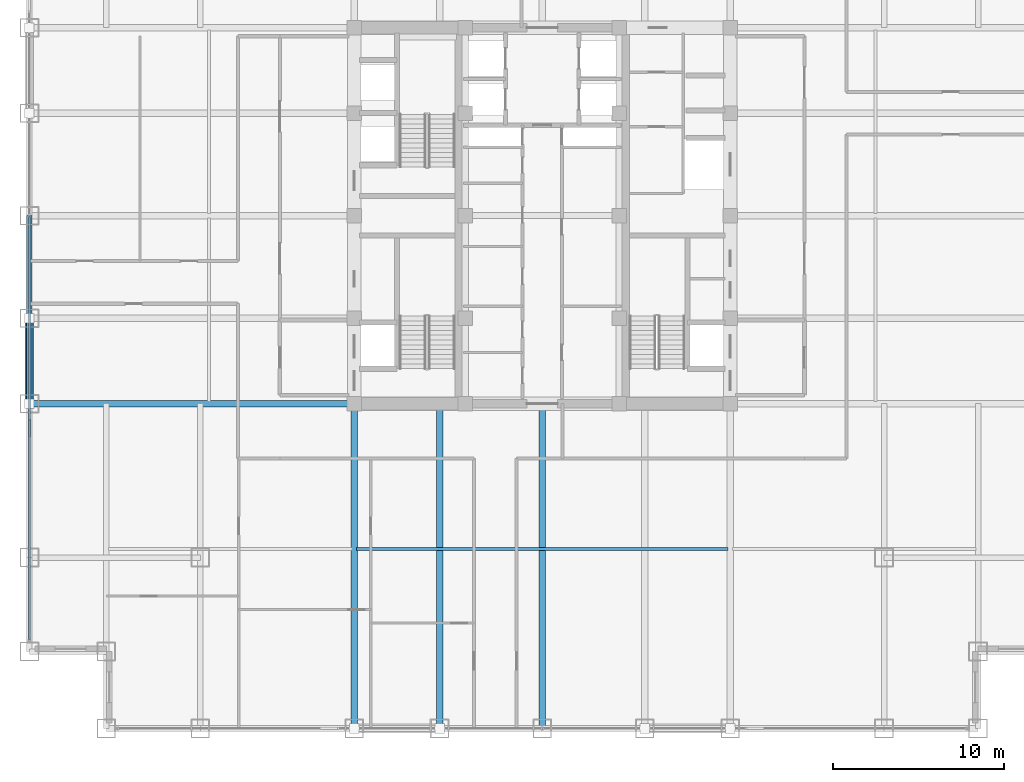
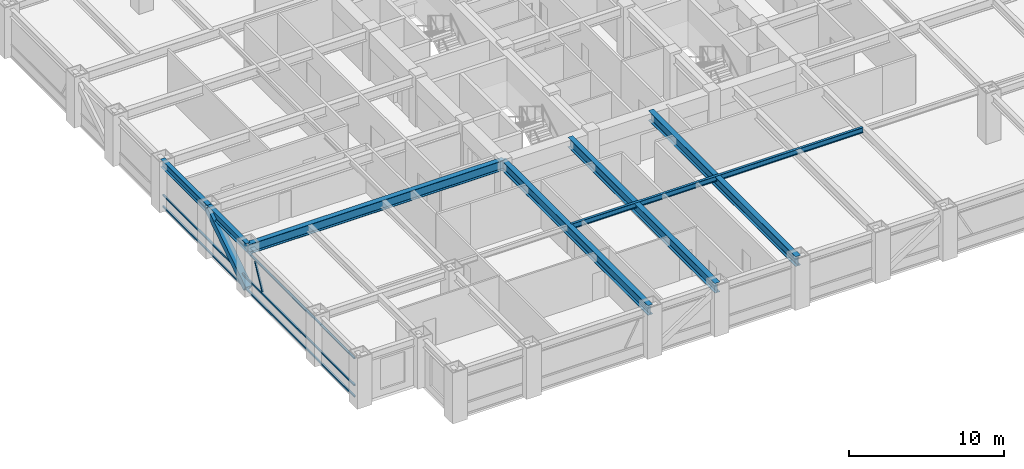
# One storey, part 5 of 24: 7 beams, 5 members, 1 element without a shape of its own.
"""IFC4 building model written with IfcOpenShell, lengths in metres."""

from ifc_helpers import new_model, si_unit, direction, frame, origin, origin_2d, place, context, subcontext, project, spatial, hollow_rectangle, i_section, extrude, source, transform, mapped, material, material_profile, profile_set, type_object, element, aggregate, save


model = new_model("IFC4")

# Units and contexts
model_context = context("Model", 3, precision=1e-05, world=origin(), true_north=direction((0.0, 1.0)))
body_context = subcontext(model_context, "Body", "Model", "MODEL_VIEW")
ifc_project = project(units=[si_unit("LENGTHUNIT", "METRE"), si_unit("AREAUNIT", "SQUARE_METRE"), si_unit("VOLUMEUNIT", "CUBIC_METRE"), si_unit("PLANEANGLEUNIT", "RADIAN"), si_unit("MASSUNIT", "GRAM", prefix="KILO")], contexts=[model_context])

# Site, building, storey
site_placement = place(None, origin())
site = spatial("IfcSite", under=ifc_project, at=site_placement, CompositionType="ELEMENT")
building_placement = place(site_placement, origin())
building = spatial("IfcBuilding", under=site, at=building_placement, Name="Khorayat Bourse Tower", CompositionType="ELEMENT")
storey_placement = place(building_placement, frame((0.0, 0.0, 179.10009765625)))
storey = spatial("IfcBuildingStorey", under=building, at=storey_placement, Name="L41", CompositionType="ELEMENT", Elevation=179.10009765625)

# Beams
ifc_material_1 = material(Name="Steel ASTM A992 Grade 50", Category="steel")
ifc_material_profile_1 = material_profile(ifc_material_1, i_section(OverallWidth=0.381103515625, OverallDepth=0.77294921875, WebThickness=0.0166015625, FlangeThickness=0.027587890625, FilletRadius=0.01806640625, at=origin_2d()), Name="W760X257")
ifc_profile_set_1 = profile_set([ifc_material_profile_1], Name="Steel ASTM A992 Grade 50")
beam_type_1 = type_object("IfcBeamType", Name="BM-GIRD-760", PredefinedType="BEAM", material=ifc_profile_set_1)
shared_shape_1 = source(origin(), body_context, "Body", "SweptSolid", [
    extrude(i_section(OverallWidth=0.381103515625, OverallDepth=0.77294921875, WebThickness=0.0166015625, FlangeThickness=0.027587890625, FilletRadius=0.01806640625, at=origin_2d()), origin(), (0.0, 0.0, 1.0), 19.0),
])
for number, where, z_axis, x_axis, name in (
    (1, (-11.0, -30.0, 3.393310546875), (0.0, 1.0, 0.0), (-1.0, 0.0, 0.0), "L41 BM-GIRD-760 BM-L41-RADY-065"),
    (2, (-6.0, -30.0, 3.393310546875), (0.0, 1.0, 0.0), (-1.0, 0.0, 0.0), "L41 BM-GIRD-760 BM-L41-RADY-067"),
    (3, (0.0, -30.0, 3.393310546875), (0.0, 1.0, 0.0), (-1.0, 0.0, 0.0), "L41 BM-GIRD-760 BM-L41-RADY-069"),
    (4, (-30.0, -11.0, 3.393310546875), (1.0, 0.0, 0.0), (0.0, 1.0, 0.0), "L41 BM-GIRD-760 BM-L41-RADX-075"),
):
    element("IfcBeam", number, at=place(storey_placement, frame(where, z_axis=z_axis, x_axis=x_axis)), inside=storey, type_object=beam_type_1, Name=name, PredefinedType="BEAM", context=body_context, shape_type="MappedRepresentation", body=[
        mapped(shared_shape_1, transform((0.0, 0.0, 0.0), scale=1.0)),
    ])
ifc_material_profile_2 = material_profile(ifc_material_1, i_section(OverallWidth=0.180908203125, OverallDepth=0.4169921875, WebThickness=0.010986328125, FlangeThickness=0.018310546875, FilletRadius=0.011962890625, at=origin_2d()), Name="W410X85")
ifc_profile_set_2 = profile_set([ifc_material_profile_2], Name="Steel ASTM A992 Grade 50")
beam_type_2 = type_object("IfcBeamType", Name="BM-JOIST-410", PredefinedType="JOIST", material=ifc_profile_set_2)
shared_shape_2 = source(origin(), body_context, "Body", "SweptSolid", [
    extrude(i_section(OverallWidth=0.180908203125, OverallDepth=0.4169921875, WebThickness=0.010986328125, FlangeThickness=0.018310546875, FilletRadius=0.011962890625, at=origin_2d()), origin(), (0.0, 0.0, 1.0), 21.740234375),
])
beam_1_placement = place(storey_placement, frame((-10.8701171875, -19.5, 3.5712890625), z_axis=(1.0, 0.0, 0.0), x_axis=(0.0, 1.0, 0.0)))
element("IfcBeam", 5, at=beam_1_placement, inside=storey, type_object=beam_type_2, Name="L41 BM-JOIST-410 BM-L41-JSTX-097", PredefinedType="JOIST", context=body_context, shape_type="MappedRepresentation", body=[
    mapped(shared_shape_2, transform((0.0, 0.0, 0.0), scale=1.0)),
])
ifc_material_profile_3 = material_profile(ifc_material_1, i_section(OverallWidth=0.324951171875, OverallDepth=0.615966796875, WebThickness=0.013916015625, FlangeThickness=0.021484375, FilletRadius=0.01611328125, at=origin_2d()), Name="W610X174")
ifc_profile_set_3 = profile_set([ifc_material_profile_3], Name="Steel ASTM A992 Grade 50")
beam_type_3 = type_object("IfcBeamType", Name="BM-SPAN-610", PredefinedType="SPANDREL", material=ifc_profile_set_3)
shared_shape_3 = source(origin(), body_context, "Body", "SweptSolid", [
    extrude(i_section(OverallWidth=0.324951171875, OverallDepth=0.615966796875, WebThickness=0.013916015625, FlangeThickness=0.021484375, FilletRadius=0.01611328125, at=origin_2d()), origin(), (0.0, 0.0, 1.0), 5.0),
])
beam_2_placement = place(storey_placement, frame((-30.0, -11.0, 3.471923828125), z_axis=(0.0, 1.0, 0.0), x_axis=(-1.0, 0.0, 0.0)))
element("IfcBeam", 6, at=beam_2_placement, inside=storey, type_object=beam_type_3, Name="L41 BM-SPAN-610 BM-L41-SPN-059", PredefinedType="SPANDREL", context=body_context, shape_type="MappedRepresentation", body=[
    mapped(shared_shape_3, transform((0.0, 0.0, 0.0), scale=1.0)),
])
shared_shape_4 = source(origin(), body_context, "Body", "SweptSolid", [
    extrude(i_section(OverallWidth=0.324951171875, OverallDepth=0.615966796875, WebThickness=0.013916015625, FlangeThickness=0.021484375, FilletRadius=0.01611328125, at=origin_2d()), origin(), (0.0, 0.0, 1.0), 6.0),
])
beam_3_placement = place(storey_placement, frame((-30.0, -6.0, 3.471923828125), z_axis=(0.0, 1.0, 0.0), x_axis=(-1.0, 0.0, 0.0)))
element("IfcBeam", 7, at=beam_3_placement, inside=storey, type_object=beam_type_3, Name="L41 BM-SPAN-610 BM-L41-SPN-058", PredefinedType="SPANDREL", context=body_context, shape_type="MappedRepresentation", body=[
    mapped(shared_shape_4, transform((0.0, 0.0, 0.0), scale=1.0)),
])

# Member
ifc_material_2 = material(Name="Steel EN 10025-4 S460M", Category="steel")
ifc_material_profile_4 = material_profile(ifc_material_2, hollow_rectangle(XDim=0.5, YDim=0.5, WallThickness=0.028076171875, at=origin_2d()), Name="HSS 500x500x28")
ifc_profile_set_4 = profile_set([ifc_material_profile_4], Name="Steel EN 10025-4 S460M")
member_type_1 = type_object("IfcMemberType", Name="MBR-TUBE-500", PredefinedType="BRACE", material=ifc_profile_set_4)
shared_shape_5 = source(origin(), body_context, "Body", "SweptSolid", [
    extrude(hollow_rectangle(XDim=0.5, YDim=0.5, WallThickness=0.028076171875, at=origin_2d()), origin(), (0.0, 0.0, 1.0), 5.979736328125),
])
member_1_placement = place(storey_placement, frame((-30.0, -11.0, 0.25), z_axis=(0.0, 0.836160261256, 0.548485202623), x_axis=(-1.0, 0.0, 0.0)))
element("IfcMember", 8, at=member_1_placement, inside=storey, type_object=member_type_1, Name="L41 Perimeter Tube Brace 05", PredefinedType="BRACE", context=body_context, shape_type="MappedRepresentation", body=[
    mapped(shared_shape_5, transform((0.0, 0.0, 0.0), scale=1.0)),
])

# Curtain wall, members
ifc_material_3 = material(Name="Aluminium EN AW-6063 T6", Category="aluminium")
curtain_wall_type = type_object("IfcCurtainWallType", Name="CW-SYS-03", PredefinedType="NOTDEFINED", material=ifc_material_3)
curtain_wall_placement = place(storey_placement, origin())
curtain_wall = element("IfcCurtainWall", 9, at=curtain_wall_placement, inside=storey, type_object=curtain_wall_type, Name="L41 Curtain Wall CW-L41-W1", PredefinedType="NOTDEFINED")
ifc_material_profile_5 = material_profile(ifc_material_3, hollow_rectangle(XDim=0.1201171875, YDim=0.1201171875, WallThickness=0.0048828125, at=origin_2d()), Name="ALU 120x120x5")
ifc_profile_set_5 = profile_set([ifc_material_profile_5], Name="Aluminium EN AW-6063 T6")
member_type_2 = type_object("IfcMemberType", Name="CWM-DIAG-120", PredefinedType="MULLION", material=ifc_profile_set_5)
shared_shape_6 = source(origin(), body_context, "Body", "SweptSolid", [
    extrude(hollow_rectangle(XDim=0.1201171875, YDim=0.1201171875, WallThickness=0.0048828125, at=origin_2d()), origin(), (0.0, 0.0, 1.0), 2.079345703125),
])
member_2_placement = place(storey_placement, frame((-30.0, -12.904296875, 1.08984375), z_axis=(0.0, 0.465760949701, 0.884910581773), x_axis=(-1.0, 0.0, 0.0)))
member_2 = element("IfcMember", 10, at=member_2_placement, type_object=member_type_2, Name="CW-L41-W1 Faceted Diagonal Mullion 1", PredefinedType="MULLION", context=body_context, shape_type="MappedRepresentation", body=[
    mapped(shared_shape_6, transform((0.0, 0.0, 0.0), scale=1.0)),
])
ifc_material_profile_6 = material_profile(ifc_material_3, hollow_rectangle(XDim=0.1201171875, YDim=0.1201171875, WallThickness=0.0048828125, at=origin_2d()), Name="ALU 120x120x5")
ifc_profile_set_6 = profile_set([ifc_material_profile_6], Name="Aluminium EN AW-6063 T6")
member_type_3 = type_object("IfcMemberType", Name="CWT-HORZ-120", PredefinedType="USERDEFINED", material=ifc_profile_set_6)
shared_shape_7 = source(origin(), body_context, "Body", "SweptSolid", [
    extrude(hollow_rectangle(XDim=0.1201171875, YDim=0.1201171875, WallThickness=0.0048828125, at=origin_2d()), origin(), (0.0, 0.0, 1.0), 24.719970703125),
])
member_3_placement = place(storey_placement, frame((-30.0, -24.780029296875, 0.059814453125), z_axis=(0.0, 1.0, 0.0), x_axis=(-1.0, 0.0, 0.0)))
member_3 = element("IfcMember", 11, at=member_3_placement, type_object=member_type_3, Name="CW-L41-W1 Horizontal Transom 1-1", ObjectType="TRANSOM", PredefinedType="USERDEFINED", context=body_context, shape_type="MappedRepresentation", body=[
    mapped(shared_shape_7, transform((0.0, 0.0, 0.0), scale=1.0)),
])
member_4_placement = place(storey_placement, frame((-30.0, -24.780029296875, 0.949951171875), z_axis=(0.0, 1.0, 0.0), x_axis=(-1.0, 0.0, 0.0)))
member_4 = element("IfcMember", 12, at=member_4_placement, type_object=member_type_3, Name="CW-L41-W1 Horizontal Transom 1-2", ObjectType="TRANSOM", PredefinedType="USERDEFINED", context=body_context, shape_type="MappedRepresentation", body=[
    mapped(shared_shape_7, transform((0.0, 0.0, 0.0), scale=1.0)),
])
member_5_placement = place(storey_placement, frame((-30.0, -24.780029296875, 3.06982421875), z_axis=(0.0, 1.0, 0.0), x_axis=(-1.0, 0.0, 0.0)))
member_5 = element("IfcMember", 13, at=member_5_placement, type_object=member_type_3, Name="CW-L41-W1 Horizontal Transom 1-3", ObjectType="TRANSOM", PredefinedType="USERDEFINED", context=body_context, shape_type="MappedRepresentation", body=[
    mapped(shared_shape_7, transform((0.0, 0.0, 0.0), scale=1.0)),
])
aggregate(curtain_wall, [member_3, member_4, member_5, member_2])

save(model, "model.ifc")
